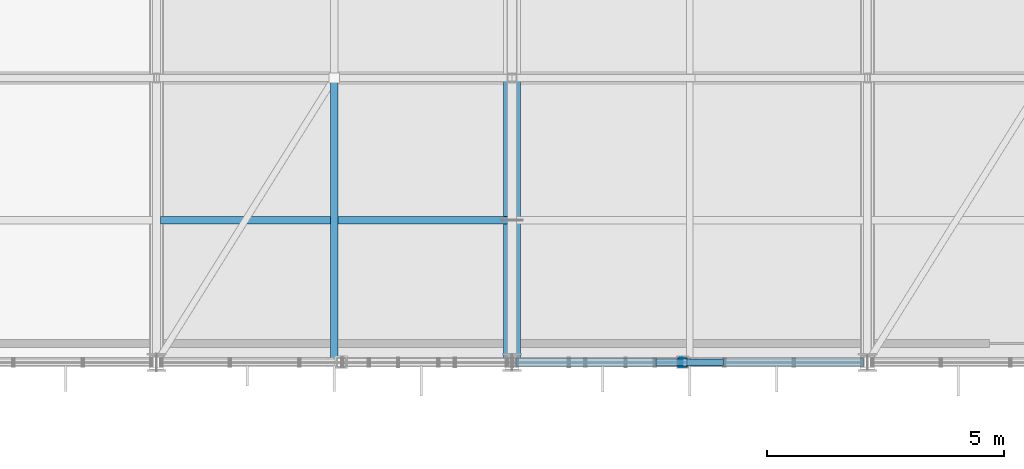
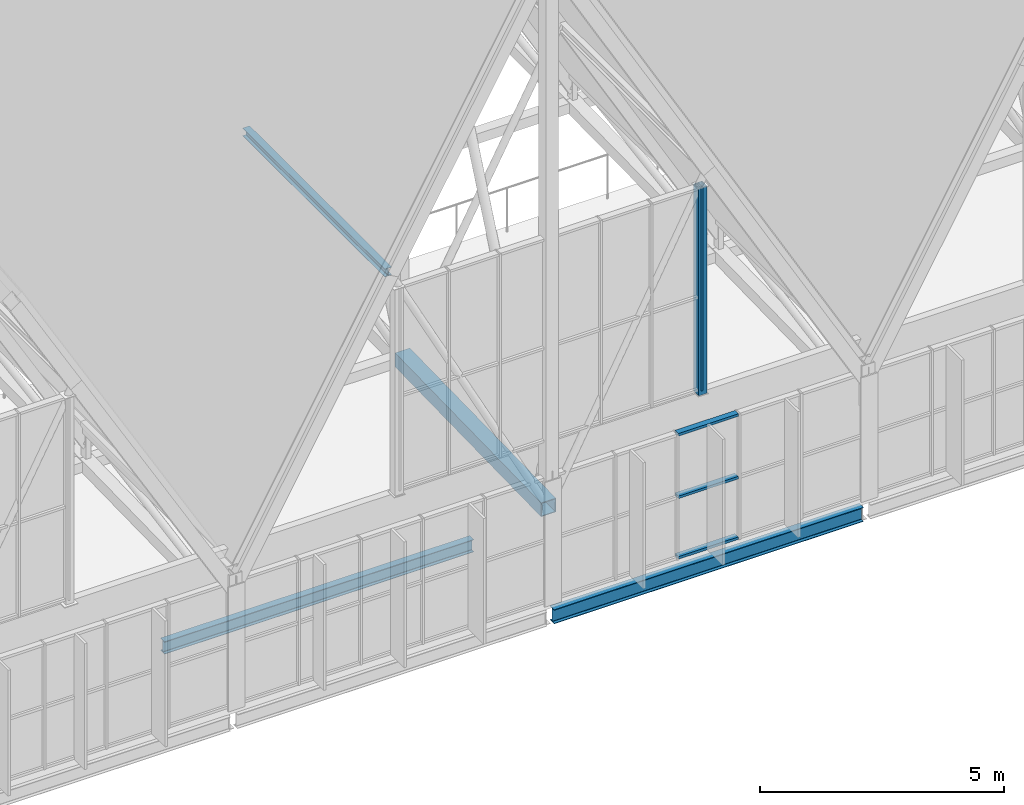
# One storey, part 123 of 324: 6 members, 3 beams, 2 elements without a shape of their own.
"""IFC4 building model written with IfcOpenShell, lengths in metres."""

from ifc_helpers import new_model, si_unit, direction, frame, origin, origin_2d, place, context, subcontext, project, spatial, hollow_rectangle, i_section, extrude, material, layer, layer_set, material_profile, profile_set, type_object, element, aggregate, save


model = new_model("IFC4")

# Units and contexts
model_context = context("Model", 3, precision=1e-05, world=origin(), true_north=direction((0.0, 1.0)))
body_context = subcontext(model_context, "Body", "Model", "MODEL_VIEW")
ifc_project = project(units=[si_unit("LENGTHUNIT", "METRE"), si_unit("AREAUNIT", "SQUARE_METRE"), si_unit("VOLUMEUNIT", "CUBIC_METRE"), si_unit("PLANEANGLEUNIT", "RADIAN"), si_unit("MASSUNIT", "GRAM", prefix="KILO")], contexts=[model_context])

# Site, building, storey
site_placement = place(None, origin())
site = spatial("IfcSite", under=ifc_project, at=site_placement, CompositionType="ELEMENT")
building_placement = place(site_placement, origin())
building = spatial("IfcBuilding", under=site, at=building_placement, Name="Solvenia Promenade Tram Depot", CompositionType="ELEMENT")
storey_placement = place(building_placement, frame((0.0, 0.0, 4.5)))
storey = spatial("IfcBuildingStorey", under=building, at=storey_placement, Name="L01", CompositionType="ELEMENT", Elevation=4.5)

# Curtain wall, member
ifc_material_1 = material(Name="Anodized aluminium AW-6063 T6", Category="aluminium")
ifc_layer_1 = layer(ifc_material_1, 0.14990234375, Name="Anodized aluminium AW-6063 T6", Category="aluminium")
ifc_layer_set_1 = layer_set([ifc_layer_1], Name="Anodized aluminium AW-6063 T6")
curtain_wall_type_1 = type_object("IfcCurtainWallType", Name="CW-Gable-1200", PredefinedType="NOTDEFINED", material=ifc_layer_set_1)
curtain_wall_1_placement = place(storey_placement, origin())
curtain_wall_1 = element("IfcCurtainWall", 1, at=curtain_wall_1_placement, inside=storey, type_object=curtain_wall_type_1, Name="South Zigzag Gable 05 Peak Glazing", PredefinedType="NOTDEFINED")
ifc_material_profile_1 = material_profile(ifc_material_1, hollow_rectangle(XDim=0.199951171875, YDim=0.048095703125, WallThickness=0.00390625, at=origin_2d()), Name="ALU-M3", Category="aluminium")
ifc_profile_set_1 = profile_set([ifc_material_profile_1], Name="Anodized aluminium AW-6063 T6")
member_type_1 = type_object("IfcMemberType", Name="CWM-Mullion-3", PredefinedType="MULLION", material=ifc_profile_set_1)
member_1_placement = place(storey_placement, frame((71.075927734375, 66.0, 4.050048828125), z_axis=(0.0, 0.0, 1.0), x_axis=(0.0, 1.0, 0.0)))
member_1 = element("IfcMember", 2, at=member_1_placement, type_object=member_type_1, Name="CW-3 mullion 7", PredefinedType="MULLION", context=body_context, shape_type="SweptSolid", body=[
    extrude(hollow_rectangle(XDim=0.199951171875, YDim=0.048095703125, WallThickness=0.00390625, at=origin_2d()), origin(), (0.0, 0.0, 1.0), 5.099853515625),
])
aggregate(curtain_wall_1, [member_1])

# Curtain wall, members
ifc_layer_2 = layer(ifc_material_1, 0.159912109375, Name="Anodized aluminium AW-6063 T6", Category="aluminium")
ifc_layer_set_2 = layer_set([ifc_layer_2], Name="Anodized aluminium AW-6063 T6")
curtain_wall_type_2 = type_object("IfcCurtainWallType", Name="CW-Channel-1500", PredefinedType="NOTDEFINED", material=ifc_layer_set_2)
curtain_wall_2_placement = place(storey_placement, origin())
curtain_wall_2 = element("IfcCurtainWall", 3, at=curtain_wall_2_placement, inside=storey, type_object=curtain_wall_type_2, Name="Curtain Wall CW-V1S1-04", PredefinedType="NOTDEFINED")
ifc_material_profile_2 = material_profile(ifc_material_1, hollow_rectangle(XDim=0.139892578125, YDim=0.06494140625, WallThickness=0.00390625, at=origin_2d()), Name="ALU-T2", Category="aluminium")
ifc_profile_set_2 = profile_set([ifc_material_profile_2], Name="Anodized aluminium AW-6063 T6")
member_type_2 = type_object("IfcMemberType", Name="CWT-Transom-2", PredefinedType="USERDEFINED", material=ifc_profile_set_2)
member_2_placement = place(storey_placement, frame((70.541015625, 66.0, 0.032470703125), z_axis=(1.0, 0.0, 0.0), x_axis=(0.0, 1.0, 0.0)))
member_2 = element("IfcMember", 4, at=member_2_placement, type_object=member_type_2, Name="CW-2 transom 3.1", ObjectType="TRANSOM", PredefinedType="USERDEFINED", context=body_context, shape_type="SweptSolid", body=[
    extrude(hollow_rectangle(XDim=0.139892578125, YDim=0.06494140625, WallThickness=0.00390625, at=origin_2d()), origin(), (0.0, 0.0, 1.0), 1.41796875),
])
member_3_placement = place(storey_placement, frame((70.541015625, 66.0, 1.550048828125), z_axis=(1.0, 0.0, 0.0), x_axis=(0.0, 1.0, 0.0)))
member_3 = element("IfcMember", 5, at=member_3_placement, type_object=member_type_2, Name="CW-2 transom 3.2", ObjectType="TRANSOM", PredefinedType="USERDEFINED", context=body_context, shape_type="SweptSolid", body=[
    extrude(hollow_rectangle(XDim=0.139892578125, YDim=0.06494140625, WallThickness=0.00390625, at=origin_2d()), origin(), (0.0, 0.0, 1.0), 1.41796875),
])
member_4_placement = place(storey_placement, frame((70.541015625, 66.0, 3.117431640625), z_axis=(1.0, 0.0, 0.0), x_axis=(0.0, 1.0, 0.0)))
member_4 = element("IfcMember", 6, at=member_4_placement, type_object=member_type_2, Name="CW-2 transom 3.3", ObjectType="TRANSOM", PredefinedType="USERDEFINED", context=body_context, shape_type="SweptSolid", body=[
    extrude(hollow_rectangle(XDim=0.139892578125, YDim=0.06494140625, WallThickness=0.00390625, at=origin_2d()), origin(), (0.0, 0.0, 1.0), 1.41796875),
])
aggregate(curtain_wall_2, [member_2, member_3, member_4])

# Member
ifc_material_2 = material(Name="Structural steel ASTM A500 Gr. C", Category="steel")
ifc_material_profile_3 = material_profile(ifc_material_2, hollow_rectangle(XDim=0.35009765625, YDim=0.35009765625, WallThickness=0.01611328125, at=origin_2d()), Name="HSS350x350x16", Category="steel")
ifc_profile_set_3 = profile_set([ifc_material_profile_3], Name="Structural steel ASTM A500 Gr. C")
member_type_3 = type_object("IfcMemberType", Name="Chord-HSS350x350x16", PredefinedType="CHORD", material=ifc_profile_set_3)
member_5_placement = place(storey_placement, frame((67.5, 66.0, 2.320068359375), z_axis=(0.0, 0.999779654873, 0.020991467363), x_axis=(-1.0, 0.0, 0.0)))
element("IfcMember", 7, at=member_5_placement, inside=storey, type_object=member_type_3, Name="Arched Truss T10 Bottom Chord S01", PredefinedType="CHORD", context=body_context, shape_type="SweptSolid", body=[
    extrude(hollow_rectangle(XDim=0.35009765625, YDim=0.35009765625, WallThickness=0.01611328125, at=origin_2d()), origin(), (0.0, 0.0, 1.0), 6.001220703125),
])

# Beam
ifc_material_3 = material(Name="Structural steel ASTM A992 Gr. 50", Category="steel")
ifc_material_profile_4 = material_profile(ifc_material_3, i_section(OverallWidth=0.166015625, OverallDepth=0.31298828125, WebThickness=0.006591796875, FlangeThickness=0.01123046875, FilletRadius=0.010009765625, at=origin_2d()), Name="W310x45", Category="steel")
ifc_profile_set_4 = profile_set([ifc_material_profile_4], Name="Structural steel ASTM A992 Gr. 50")
beam_type_1 = type_object("IfcBeamType", Name="Joist-W310x45", PredefinedType="JOIST", material=ifc_profile_set_4)
beam_1_placement = place(storey_placement, frame((60.0849609375, 69.0, -0.37646484375), z_axis=(1.0, 0.0, 0.0), x_axis=(0.0, 1.0, 0.0)))
element("IfcBeam", 8, at=beam_1_placement, inside=storey, type_object=beam_type_1, Name="Secondary Floor Joist BM-L01-0085", PredefinedType="JOIST", context=body_context, shape_type="SweptSolid", body=[
    extrude(i_section(OverallWidth=0.166015625, OverallDepth=0.31298828125, WebThickness=0.006591796875, FlangeThickness=0.01123046875, FilletRadius=0.010009765625, at=origin_2d()), origin(), (0.0, 0.0, 1.0), 7.330078125),
])

# Member
ifc_material_profile_5 = material_profile(ifc_material_2, hollow_rectangle(XDim=0.199951171875, YDim=0.199951171875, WallThickness=0.010009765625, at=origin_2d()), Name="HSS200x200x10", Category="steel")
ifc_profile_set_5 = profile_set([ifc_material_profile_5], Name="Structural steel ASTM A500 Gr. C")
member_type_4 = type_object("IfcMemberType", Name="Post-HSS200x200x10", PredefinedType="POST", material=ifc_profile_set_5)
member_6_placement = place(storey_placement, frame((71.10009765625, 66.0, 3.949951171875), z_axis=(0.0, 0.0, 1.0), x_axis=(1.0, 0.0, 0.0)))
element("IfcMember", 9, at=member_6_placement, inside=storey, type_object=member_type_4, Name="Gable Curtain-Wall Steel Jamb Post 020", PredefinedType="POST", context=body_context, shape_type="SweptSolid", body=[
    extrude(hollow_rectangle(XDim=0.199951171875, YDim=0.199951171875, WallThickness=0.010009765625, at=origin_2d()), origin(), (0.0, 0.0, 1.0), 5.199951171875),
])

# Beams
ifc_material_profile_6 = material_profile(ifc_material_3, i_section(OverallWidth=0.1650390625, OverallDepth=0.200927734375, WebThickness=0.006103515625, FlangeThickness=0.01025390625, FilletRadius=0.010009765625, at=origin_2d()), Name="W200x36", Category="steel")
ifc_profile_set_6 = profile_set([ifc_material_profile_6], Name="Structural steel ASTM A992 Gr. 50")
beam_type_2 = type_object("IfcBeamType", Name="Purlin-W200x36", PredefinedType="USERDEFINED", material=ifc_profile_set_6)
beam_2_placement = place(storey_placement, frame((63.75, 66.0849609375, 9.484130859375), z_axis=(0.0, 1.0, 0.0), x_axis=(-1.0, 0.0, 0.0)))
element("IfcBeam", 10, at=beam_2_placement, inside=storey, type_object=beam_type_2, Name="Gable Roof Purlin W-0081", ObjectType="PURLIN", PredefinedType="USERDEFINED", context=body_context, shape_type="SweptSolid", body=[
    extrude(i_section(OverallWidth=0.1650390625, OverallDepth=0.200927734375, WebThickness=0.006103515625, FlangeThickness=0.01025390625, FilletRadius=0.010009765625, at=origin_2d()), origin(), (0.0, 0.0, 1.0), 5.830078125),
])
ifc_material_profile_7 = material_profile(ifc_material_3, i_section(OverallWidth=0.172119140625, OverallDepth=0.35791015625, WebThickness=0.0078125, FlangeThickness=0.01318359375, FilletRadius=0.010986328125, at=origin_2d()), Name="W360x57", Category="steel")
ifc_profile_set_7 = profile_set([ifc_material_profile_7], Name="Structural steel ASTM A992 Gr. 50")
beam_type_3 = type_object("IfcBeamType", Name="Spandrel-W360x57", PredefinedType="SPANDREL", material=ifc_profile_set_7)
beam_3_placement = place(storey_placement, frame((67.5849609375, 66.0, -0.39892578125), z_axis=(1.0, 0.0, 0.0), x_axis=(0.0, 1.0, 0.0)))
element("IfcBeam", 11, at=beam_3_placement, inside=storey, type_object=beam_type_3, Name="Perimeter Spandrel BM-L01-0010", PredefinedType="SPANDREL", context=body_context, shape_type="SweptSolid", body=[
    extrude(i_section(OverallWidth=0.172119140625, OverallDepth=0.35791015625, WebThickness=0.0078125, FlangeThickness=0.01318359375, FilletRadius=0.010986328125, at=origin_2d()), origin(), (0.0, 0.0, 1.0), 7.330078125),
])

save(model, "model.ifc")
